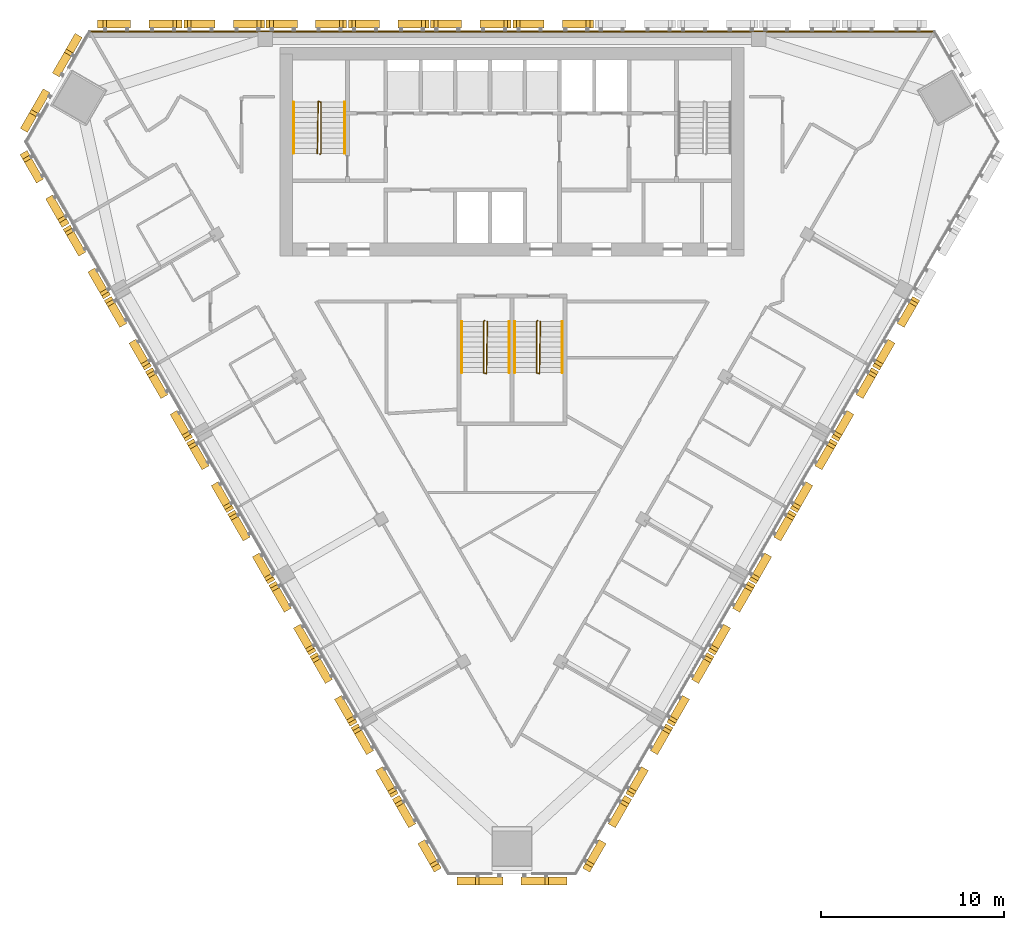
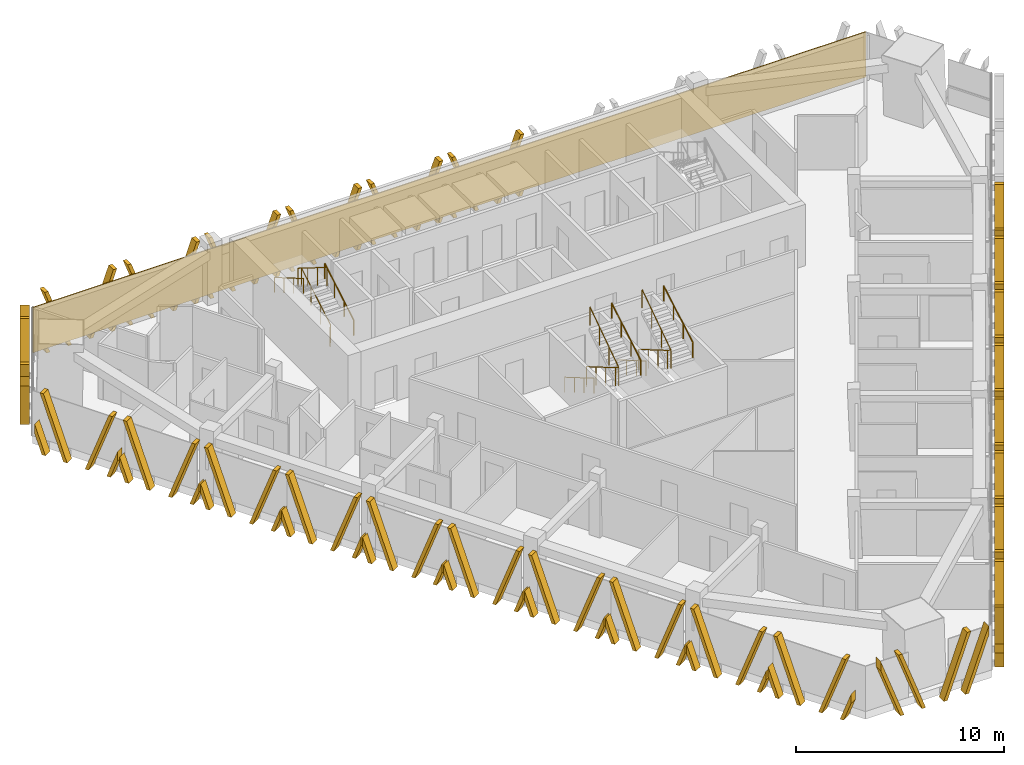
# One storey, part 14 of 16: 26 shading devices, 9 railings, 1 covering.
"""IFC4 building model written with IfcOpenShell, lengths in metres."""

from ifc_helpers import new_model, si_unit, direction, frame, frame_2d, origin, origin_2d, place, context, subcontext, project, spatial, polyline, rectangle, circle, outline, extrude, source, transform, mapped, material, layer, layer_set, type_object, element, save


model = new_model("IFC4")

# Units and contexts
model_context = context("Model", 3, precision=1e-05, world=origin(), true_north=direction((0.0, 1.0)))
body_context = subcontext(model_context, "Body", "Model", "MODEL_VIEW")
ifc_project = project(units=[si_unit("LENGTHUNIT", "METRE"), si_unit("AREAUNIT", "SQUARE_METRE"), si_unit("VOLUMEUNIT", "CUBIC_METRE"), si_unit("PLANEANGLEUNIT", "RADIAN"), si_unit("MASSUNIT", "GRAM", prefix="KILO")], contexts=[model_context])

# Site, building, storey
site_placement = place(None, origin())
site = spatial("IfcSite", under=ifc_project, at=site_placement, CompositionType="ELEMENT")
building_placement = place(site_placement, origin())
building = spatial("IfcBuilding", under=site, at=building_placement, Name="Altiplano Prism Tower", CompositionType="ELEMENT")
storey_placement = place(building_placement, frame((0.0, 0.0, 167.39990234375)))
storey = spatial("IfcBuildingStorey", under=building, at=storey_placement, Name="L43", CompositionType="ELEMENT", Elevation=167.39990234375)

# Railings
ifc_material_1 = material(Name="Steel S355", Category="steel")
railing_type_1 = type_object("IfcRailingType", Name="Stair guard 1100", PredefinedType="GUARDRAIL", material=ifc_material_1)
railing_1_placement = place(storey_placement, frame((74.5, 98.25, 0.0)))
element("IfcRailing", 1, at=railing_1_placement, inside=storey, type_object=railing_type_1, Name="L43 ST1 stair guard 1", PredefinedType="GUARDRAIL", context=body_context, shape_type="SweptSolid", body=[
    extrude(circle(Radius=0.02392578125, at=origin_2d()), frame((0.0, 0.0, 1.076171875), z_axis=(0.280456126637, 0.280456126637, 0.917980785237), x_axis=(-0.707106781187, 0.707106781187, 0.0)), (0.0, 0.0, 1.0), 0.178466796875),
    extrude(circle(Radius=0.02392578125, at=origin_2d()), frame((0.050048828125, 0.050048828125, 1.23974609375), z_axis=(0.0, 0.863393664356, 0.504530851732), x_axis=(-1.0, 0.0, 0.0)), (0.0, 0.0, 1.0), 3.2431640625),
    extrude(circle(Radius=0.02392578125, at=origin_2d()), frame((0.050048828125, 2.85009765625, 2.8759765625), z_axis=(-0.949145278916, 0.314838433982, 0.0), x_axis=(-0.314838433982, -0.949145278916, 0.0)), (0.0, 0.0, 1.0), 0.158203125),
    extrude(circle(Radius=0.02392578125, at=origin_2d()), frame((-0.10009765625, 2.89990234375, 2.8759765625), z_axis=(-0.01477401265, -0.845377694409, 0.533964682676), x_axis=(0.999847325713, -0.01747355902, 0.0)), (0.0, 0.0, 1.0), 3.37109375),
    extrude(circle(Radius=0.02099609375, at=origin_2d()), origin(), (0.0, 0.0, 1.0), 1.052001953125),
    extrude(circle(Radius=0.02099609375, at=origin_2d()), frame((0.050048828125, 0.050048828125, 0.163818359375)), (0.0, 0.0, 1.0), 1.052001953125),
    extrude(circle(Radius=0.02099609375, at=origin_2d()), frame((0.050048828125, 0.9833984375, 0.709228515625)), (0.0, 0.0, 1.0), 1.052001953125),
    extrude(circle(Radius=0.02099609375, at=origin_2d()), frame((0.050048828125, 1.916748046875, 1.254638671875)), (0.0, 0.0, 1.0), 1.052001953125),
    extrude(circle(Radius=0.02099609375, at=origin_2d()), frame((0.050048828125, 2.85009765625, 1.800048828125)), (0.0, 0.0, 1.0), 1.052001953125),
    extrude(circle(Radius=0.02099609375, at=origin_2d()), frame((-0.10009765625, 2.89990234375, 1.800048828125)), (0.0, 0.0, 1.0), 1.052001953125),
    extrude(circle(Radius=0.02099609375, at=origin_2d()), frame((-0.11669921875, 1.949951171875, 2.400146484375)), (0.0, 0.0, 1.0), 1.052001953125),
    extrude(circle(Radius=0.02099609375, at=origin_2d()), frame((-0.13330078125, 1.0, 3.0)), (0.0, 0.0, 1.0), 1.052001953125),
    extrude(circle(Radius=0.02099609375, at=origin_2d()), frame((-0.14990234375, 0.050048828125, 3.60009765625)), (0.0, 0.0, 1.0), 1.052001953125),
])
railing_2_placement = place(storey_placement, frame((83.5, 89.14990234375, 0.0)))
element("IfcRailing", 2, at=railing_2_placement, inside=storey, type_object=railing_type_1, Name="L43 ST3A stair guard 1", PredefinedType="GUARDRAIL", context=body_context, shape_type="SweptSolid", body=[
    extrude(circle(Radius=0.02392578125, at=origin_2d()), frame((0.0, 0.0, 1.076171875), z_axis=(-0.280563532951, -0.279194930351, 0.91833234444), x_axis=(0.705375805398, -0.708833529934, 0.0)), (0.0, 0.0, 1.0), 0.178466796875),
    extrude(circle(Radius=0.02392578125, at=origin_2d()), frame((-0.050048828125, -0.0498046875, 1.23974609375), z_axis=(0.0, -0.863393664356, 0.504530851732), x_axis=(1.0, 0.0, 0.0)), (0.0, 0.0, 1.0), 3.2431640625),
    extrude(circle(Radius=0.02392578125, at=origin_2d()), frame((-0.050048828125, -2.849853515625, 2.8759765625), z_axis=(0.948683298051, -0.316227766017, 0.0), x_axis=(0.316227766017, 0.948683298051, 0.0)), (0.0, 0.0, 1.0), 0.158203125),
    extrude(circle(Radius=0.02392578125, at=origin_2d()), frame((0.10009765625, -2.89990234375, 2.8759765625), z_axis=(0.014773108175, 0.84539835705, 0.533931993021), x_axis=(-0.999847351862, 0.017472062685, 0.0)), (0.0, 0.0, 1.0), 3.371337890625),
    extrude(circle(Radius=0.02099609375, at=origin_2d()), origin(), (0.0, 0.0, 1.0), 1.052001953125),
    extrude(circle(Radius=0.02099609375, at=origin_2d()), frame((-0.050048828125, -0.0498046875, 0.163818359375)), (0.0, 0.0, 1.0), 1.052001953125),
    extrude(circle(Radius=0.02099609375, at=origin_2d()), frame((-0.050048828125, -0.983154296875, 0.709228515625)), (0.0, 0.0, 1.0), 1.052001953125),
    extrude(circle(Radius=0.02099609375, at=origin_2d()), frame((-0.050048828125, -1.91650390625, 1.254638671875)), (0.0, 0.0, 1.0), 1.052001953125),
    extrude(circle(Radius=0.02099609375, at=origin_2d()), frame((-0.050048828125, -2.849853515625, 1.800048828125)), (0.0, 0.0, 1.0), 1.052001953125),
    extrude(circle(Radius=0.02099609375, at=origin_2d()), frame((0.10009765625, -2.89990234375, 1.800048828125)), (0.0, 0.0, 1.0), 1.052001953125),
    extrude(circle(Radius=0.02099609375, at=origin_2d()), frame((0.11669921875, -1.949951171875, 2.400146484375)), (0.0, 0.0, 1.0), 1.052001953125),
    extrude(circle(Radius=0.02099609375, at=origin_2d()), frame((0.13330078125, -0.999755859375, 3.0)), (0.0, 0.0, 1.0), 1.052001953125),
    extrude(circle(Radius=0.02099609375, at=origin_2d()), frame((0.14990234375, -0.0498046875, 3.60009765625)), (0.0, 0.0, 1.0), 1.052001953125),
])
railing_3_placement = place(storey_placement, frame((86.39990234375, 89.14990234375, 0.0)))
element("IfcRailing", 3, at=railing_3_placement, inside=storey, type_object=railing_type_1, Name="L43 ST3B stair guard 1", PredefinedType="GUARDRAIL", context=body_context, shape_type="SweptSolid", body=[
    extrude(circle(Radius=0.02392578125, at=origin_2d()), frame((0.0, 0.0, 1.076171875), z_axis=(-0.279301935624, -0.279301935624, 0.918684307863), x_axis=(0.707106781187, -0.707106781187, 0.0)), (0.0, 0.0, 1.0), 0.17822265625),
    extrude(circle(Radius=0.02392578125, at=origin_2d()), frame((-0.0498046875, -0.0498046875, 1.23974609375), z_axis=(0.0, -0.863393664356, 0.504530851732), x_axis=(1.0, 0.0, 0.0)), (0.0, 0.0, 1.0), 3.2431640625),
    extrude(circle(Radius=0.02392578125, at=origin_2d()), frame((-0.0498046875, -2.849853515625, 2.8759765625), z_axis=(0.948528701346, -0.316691178788, 0.0), x_axis=(0.316691178788, 0.948528701346, 0.0)), (0.0, 0.0, 1.0), 0.157958984375),
    extrude(circle(Radius=0.02392578125, at=origin_2d()), frame((0.10009765625, -2.89990234375, 2.8759765625), z_axis=(0.014845509451, 0.845397450405, 0.533931420407), x_axis=(-0.999845851991, 0.017557683712, 0.0)), (0.0, 0.0, 1.0), 3.371337890625),
    extrude(circle(Radius=0.02099609375, at=origin_2d()), origin(), (0.0, 0.0, 1.0), 1.052001953125),
    extrude(circle(Radius=0.02099609375, at=origin_2d()), frame((-0.0498046875, -0.0498046875, 0.163818359375)), (0.0, 0.0, 1.0), 1.052001953125),
    extrude(circle(Radius=0.02099609375, at=origin_2d()), frame((-0.0498046875, -0.983154296875, 0.709228515625)), (0.0, 0.0, 1.0), 1.052001953125),
    extrude(circle(Radius=0.02099609375, at=origin_2d()), frame((-0.0498046875, -1.91650390625, 1.254638671875)), (0.0, 0.0, 1.0), 1.052001953125),
    extrude(circle(Radius=0.02099609375, at=origin_2d()), frame((-0.0498046875, -2.849853515625, 1.800048828125)), (0.0, 0.0, 1.0), 1.052001953125),
    extrude(circle(Radius=0.02099609375, at=origin_2d()), frame((0.10009765625, -2.89990234375, 1.800048828125)), (0.0, 0.0, 1.0), 1.052001953125),
    extrude(circle(Radius=0.02099609375, at=origin_2d()), frame((0.11669921875, -1.949951171875, 2.400146484375)), (0.0, 0.0, 1.0), 1.052001953125),
    extrude(circle(Radius=0.02099609375, at=origin_2d()), frame((0.133544921875, -0.999755859375, 3.0)), (0.0, 0.0, 1.0), 1.052001953125),
    extrude(circle(Radius=0.02099609375, at=origin_2d()), frame((0.150146484375, -0.0498046875, 3.60009765625)), (0.0, 0.0, 1.0), 1.052001953125),
])
railing_type_2 = type_object("IfcRailingType", Name="Stair handrail 900", PredefinedType="HANDRAIL", material=ifc_material_1)
railing_4_placement = place(storey_placement, frame((75.85009765625, 98.300048828125, 0.163818359375)))
element("IfcRailing", 4, at=railing_4_placement, inside=storey, type_object=railing_type_2, Name="L43 ST1 stair handrail 1", PredefinedType="HANDRAIL", context=body_context, shape_type="SweptSolid", body=[
    extrude(circle(Radius=0.02392578125, at=origin_2d()), frame((0.0, 0.0, 0.8759765625), z_axis=(0.0, 0.863393664356, 0.504530851732), x_axis=(-1.0, 0.0, 0.0)), (0.0, 0.0, 1.0), 3.2431640625),
    extrude(circle(Radius=0.02099609375, at=origin_2d()), origin(), (0.0, 0.0, 1.0), 0.851806640625),
    extrude(circle(Radius=0.02099609375, at=origin_2d()), frame((0.0, 0.933349609375, 0.54541015625)), (0.0, 0.0, 1.0), 0.851806640625),
    extrude(circle(Radius=0.02099609375, at=origin_2d()), frame((0.0, 1.86669921875, 1.0908203125)), (0.0, 0.0, 1.0), 0.851806640625),
    extrude(circle(Radius=0.02099609375, at=origin_2d()), frame((0.0, 2.800048828125, 1.63623046875)), (0.0, 0.0, 1.0), 0.851806640625),
])
railing_5_placement = place(storey_placement, frame((73.050048828125, 101.10009765625, 1.963623046875)))
element("IfcRailing", 5, at=railing_5_placement, inside=storey, type_object=railing_type_2, Name="L43 ST1 stair handrail 2", PredefinedType="HANDRAIL", context=body_context, shape_type="SweptSolid", body=[
    extrude(circle(Radius=0.02392578125, at=origin_2d()), frame((0.0, 0.0, 0.8759765625), z_axis=(0.0, -0.863360870873, 0.504586966384), x_axis=(1.0, 0.0, 0.0)), (0.0, 0.0, 1.0), 3.2431640625),
    extrude(circle(Radius=0.02099609375, at=origin_2d()), origin(), (0.0, 0.0, 1.0), 0.851806640625),
    extrude(circle(Radius=0.02099609375, at=origin_2d()), frame((0.0, -0.933349609375, 0.54541015625)), (0.0, 0.0, 1.0), 0.851806640625),
    extrude(circle(Radius=0.02099609375, at=origin_2d()), frame((0.0, -1.86669921875, 1.091064453125)), (0.0, 0.0, 1.0), 0.851806640625),
    extrude(circle(Radius=0.02099609375, at=origin_2d()), frame((0.0, -2.800048828125, 1.636474609375)), (0.0, 0.0, 1.0), 0.851806640625),
])
railing_6_placement = place(storey_placement, frame((82.25, 89.10009765625, 0.163818359375)))
element("IfcRailing", 6, at=railing_6_placement, inside=storey, type_object=railing_type_2, Name="L43 ST3A stair handrail 1", PredefinedType="HANDRAIL", context=body_context, shape_type="SweptSolid", body=[
    extrude(circle(Radius=0.02392578125, at=origin_2d()), frame((0.0, 0.0, 0.8759765625), z_axis=(0.0, -0.863393664356, 0.504530851732), x_axis=(1.0, 0.0, 0.0)), (0.0, 0.0, 1.0), 3.2431640625),
    extrude(circle(Radius=0.02099609375, at=origin_2d()), origin(), (0.0, 0.0, 1.0), 0.851806640625),
    extrude(circle(Radius=0.02099609375, at=origin_2d()), frame((0.0, -0.933349609375, 0.54541015625)), (0.0, 0.0, 1.0), 0.851806640625),
    extrude(circle(Radius=0.02099609375, at=origin_2d()), frame((0.0, -1.86669921875, 1.0908203125)), (0.0, 0.0, 1.0), 0.851806640625),
    extrude(circle(Radius=0.02099609375, at=origin_2d()), frame((0.0, -2.800048828125, 1.63623046875)), (0.0, 0.0, 1.0), 0.851806640625),
])
railing_7_placement = place(storey_placement, frame((84.85009765625, 86.300048828125, 1.963623046875)))
element("IfcRailing", 7, at=railing_7_placement, inside=storey, type_object=railing_type_2, Name="L43 ST3A stair handrail 2", PredefinedType="HANDRAIL", context=body_context, shape_type="SweptSolid", body=[
    extrude(circle(Radius=0.02392578125, at=origin_2d()), frame((0.0, 0.0, 0.8759765625), z_axis=(0.0, 0.863360870873, 0.504586966384), x_axis=(-1.0, 0.0, 0.0)), (0.0, 0.0, 1.0), 3.2431640625),
    extrude(circle(Radius=0.02099609375, at=origin_2d()), origin(), (0.0, 0.0, 1.0), 0.851806640625),
    extrude(circle(Radius=0.02099609375, at=origin_2d()), frame((0.0, 0.933349609375, 0.54541015625)), (0.0, 0.0, 1.0), 0.851806640625),
    extrude(circle(Radius=0.02099609375, at=origin_2d()), frame((0.0, 1.86669921875, 1.091064453125)), (0.0, 0.0, 1.0), 0.851806640625),
    extrude(circle(Radius=0.02099609375, at=origin_2d()), frame((0.0, 2.800048828125, 1.636474609375)), (0.0, 0.0, 1.0), 0.851806640625),
])
railing_8_placement = place(storey_placement, frame((85.14990234375, 89.10009765625, 0.163818359375)))
element("IfcRailing", 8, at=railing_8_placement, inside=storey, type_object=railing_type_2, Name="L43 ST3B stair handrail 1", PredefinedType="HANDRAIL", context=body_context, shape_type="SweptSolid", body=[
    extrude(circle(Radius=0.02392578125, at=origin_2d()), frame((0.0, 0.0, 0.8759765625), z_axis=(0.0, -0.863393664356, 0.504530851732), x_axis=(1.0, 0.0, 0.0)), (0.0, 0.0, 1.0), 3.2431640625),
    extrude(circle(Radius=0.02099609375, at=origin_2d()), origin(), (0.0, 0.0, 1.0), 0.851806640625),
    extrude(circle(Radius=0.02099609375, at=origin_2d()), frame((0.0, -0.933349609375, 0.54541015625)), (0.0, 0.0, 1.0), 0.851806640625),
    extrude(circle(Radius=0.02099609375, at=origin_2d()), frame((0.0, -1.86669921875, 1.0908203125)), (0.0, 0.0, 1.0), 0.851806640625),
    extrude(circle(Radius=0.02099609375, at=origin_2d()), frame((0.0, -2.800048828125, 1.63623046875)), (0.0, 0.0, 1.0), 0.851806640625),
])
railing_9_placement = place(storey_placement, frame((87.75, 86.300048828125, 1.963623046875)))
element("IfcRailing", 9, at=railing_9_placement, inside=storey, type_object=railing_type_2, Name="L43 ST3B stair handrail 2", PredefinedType="HANDRAIL", context=body_context, shape_type="SweptSolid", body=[
    extrude(circle(Radius=0.02392578125, at=origin_2d()), frame((0.0, 0.0, 0.8759765625), z_axis=(0.0, 0.863360870873, 0.504586966384), x_axis=(-1.0, 0.0, 0.0)), (0.0, 0.0, 1.0), 3.2431640625),
    extrude(circle(Radius=0.02099609375, at=origin_2d()), origin(), (0.0, 0.0, 1.0), 0.851806640625),
    extrude(circle(Radius=0.02099609375, at=origin_2d()), frame((0.0, 0.933349609375, 0.54541015625)), (0.0, 0.0, 1.0), 0.851806640625),
    extrude(circle(Radius=0.02099609375, at=origin_2d()), frame((0.0, 1.86669921875, 1.091064453125)), (0.0, 0.0, 1.0), 0.851806640625),
    extrude(circle(Radius=0.02099609375, at=origin_2d()), frame((0.0, 2.800048828125, 1.636474609375)), (0.0, 0.0, 1.0), 0.851806640625),
])

# Covering
ifc_material_2 = material(Name="Warm limestone cast stone", Category="masonry")
ifc_layer = layer(ifc_material_2, 0.06005859375)
ifc_layer_set = layer_set([ifc_layer], Name="Warm limestone cast stone")
covering_type = type_object("IfcCoveringType", Name="Stone cladding 60", PredefinedType="CLADDING", material=ifc_layer_set)
covering_placement = place(storey_placement, frame((61.8642578125, 104.969970703125, 0.0), z_axis=(0.0, 0.0, 1.0), x_axis=(1.0, 0.0, 0.0)))
element("IfcCovering", 10, at=covering_placement, inside=storey, type_object=covering_type, Name="Stone cladding north face L43", PredefinedType="CLADDING", context=body_context, shape_type="SweptSolid", body=[
    extrude(rectangle(XDim=46.271484375, YDim=0.06005859375, at=frame_2d((23.1357421875, 0.0))), origin(), (0.0, 0.0, 1.0), 2.650146484375),
])

# Shading devices
shading_device_type_1 = type_object("IfcShadingDeviceType", Name="Stone fin panel, standard unit", PredefinedType="USERDEFINED", material=ifc_material_2)
shared_shape_1 = source(origin(), body_context, "Body", "SweptSolid", [
    extrude(outline(polyline([(-2.199951171875, 1.373779296875), (-2.199951171875, 0.82421875), (-1.89990234375, 0.0), (-1.699951171875, 0.0), (-2.199951171875, 1.373779296875)])), frame((0.0, -0.14990234375, 0.0), z_axis=(0.0, -1.0, 0.0), x_axis=(1.0, 0.0, 0.0)), (0.0, 0.0, 1.0), 0.4501953125),
    extrude(outline(polyline([(-2.01025390625, 3.60009765625), (-0.699951171875, 0.0), (-0.5, 0.0), (-1.810302734375, 3.60009765625), (-2.01025390625, 3.60009765625)])), frame((0.0, -0.14990234375, 0.0), z_axis=(0.0, -1.0, 0.0), x_axis=(1.0, 0.0, 0.0)), (0.0, 0.0, 1.0), 0.4501953125),
    extrude(outline(polyline([(1.810302734375, 3.60009765625), (0.5, 0.0), (0.699951171875, 0.0), (2.01025390625, 3.60009765625), (1.810302734375, 3.60009765625)])), frame((0.0, -0.14990234375, 0.0), z_axis=(0.0, -1.0, 0.0), x_axis=(1.0, 0.0, 0.0)), (0.0, 0.0, 1.0), 0.4501953125),
    extrude(outline(polyline([(2.199951171875, 0.82421875), (2.199951171875, 1.373779296875), (1.699951171875, 0.0), (1.89990234375, 0.0), (2.199951171875, 0.82421875)])), frame((0.0, -0.14990234375, 0.0), z_axis=(0.0, -1.0, 0.0), x_axis=(1.0, 0.0, 0.0)), (0.0, 0.0, 1.0), 0.4501953125),
])
shading_device_1_placement = place(storey_placement, origin())
element("IfcShadingDevice", 11, at=shading_device_1_placement, inside=storey, type_object=shading_device_type_1, Name="Fin L43 north face 5", ObjectType="FIN", PredefinedType="USERDEFINED", context=body_context, shape_type="MappedRepresentation", body=[
    mapped(shared_shape_1, transform((87.25, 105.0, -0.449951171875), x_axis=(-1.0, 0.0, 0.0), y_axis=(0.0, -1.0, 0.0), z_axis=(0.0, 0.0, 1.0))),
])
shading_device_2_placement = place(storey_placement, origin())
element("IfcShadingDevice", 12, at=shading_device_2_placement, inside=storey, type_object=shading_device_type_1, Name="Fin L43 north face 6", ObjectType="FIN", PredefinedType="USERDEFINED", context=body_context, shape_type="MappedRepresentation", body=[
    mapped(shared_shape_1, transform((82.75, 105.0, -0.449951171875), x_axis=(-1.0, 0.0, 0.0), y_axis=(0.0, -1.0, 0.0), z_axis=(0.0, 0.0, 1.0))),
])
shading_device_3_placement = place(storey_placement, origin())
element("IfcShadingDevice", 13, at=shading_device_3_placement, inside=storey, type_object=shading_device_type_1, Name="Fin L43 north face 7", ObjectType="FIN", PredefinedType="USERDEFINED", context=body_context, shape_type="MappedRepresentation", body=[
    mapped(shared_shape_1, transform((78.25, 105.0, -0.449951171875), x_axis=(-1.0, 0.0, 0.0), y_axis=(0.0, -1.0, 0.0), z_axis=(0.0, 0.0, 1.0))),
])
shading_device_4_placement = place(storey_placement, origin())
element("IfcShadingDevice", 14, at=shading_device_4_placement, inside=storey, type_object=shading_device_type_1, Name="Fin L43 north face 8", ObjectType="FIN", PredefinedType="USERDEFINED", context=body_context, shape_type="MappedRepresentation", body=[
    mapped(shared_shape_1, transform((73.75, 105.0, -0.449951171875), x_axis=(-1.0, 0.0, 0.0), y_axis=(0.0, -1.0, 0.0), z_axis=(0.0, 0.0, 1.0))),
])
shading_device_5_placement = place(storey_placement, origin())
element("IfcShadingDevice", 15, at=shading_device_5_placement, inside=storey, type_object=shading_device_type_1, Name="Fin L43 north face 9", ObjectType="FIN", PredefinedType="USERDEFINED", context=body_context, shape_type="MappedRepresentation", body=[
    mapped(shared_shape_1, transform((69.25, 105.0, -0.449951171875), x_axis=(-1.0, 0.0, 0.0), y_axis=(0.0, -1.0, 0.0), z_axis=(0.0, 0.0, 1.0))),
])
shading_device_6_placement = place(storey_placement, origin())
element("IfcShadingDevice", 16, at=shading_device_6_placement, inside=storey, type_object=shading_device_type_1, Name="Fin L43 south-west face 2", ObjectType="FIN", PredefinedType="USERDEFINED", context=body_context, shape_type="MappedRepresentation", body=[
    mapped(shared_shape_1, transform((62.05810546875, 92.543212890625, -0.449951171875), x_axis=(0.499999990992, -0.866025408985, 0.0), y_axis=(0.866025408985, 0.499999990992, 0.0), z_axis=(0.0, 0.0, 1.0))),
])
shading_device_7_placement = place(storey_placement, origin())
element("IfcShadingDevice", 17, at=shading_device_7_placement, inside=storey, type_object=shading_device_type_1, Name="Fin L43 south-west face 3", ObjectType="FIN", PredefinedType="USERDEFINED", context=body_context, shape_type="MappedRepresentation", body=[
    mapped(shared_shape_1, transform((64.30810546875, 88.64599609375, -0.449951171875), x_axis=(0.499999990992, -0.866025408985, 0.0), y_axis=(0.866025408985, 0.499999990992, 0.0), z_axis=(0.0, 0.0, 1.0))),
])
shading_device_8_placement = place(storey_placement, origin())
element("IfcShadingDevice", 18, at=shading_device_8_placement, inside=storey, type_object=shading_device_type_1, Name="Fin L43 south-west face 4", ObjectType="FIN", PredefinedType="USERDEFINED", context=body_context, shape_type="MappedRepresentation", body=[
    mapped(shared_shape_1, transform((66.55810546875, 84.7490234375, -0.449951171875), x_axis=(0.499999990992, -0.866025408985, 0.0), y_axis=(0.866025408985, 0.499999990992, 0.0), z_axis=(0.0, 0.0, 1.0))),
])
shading_device_9_placement = place(storey_placement, origin())
element("IfcShadingDevice", 19, at=shading_device_9_placement, inside=storey, type_object=shading_device_type_1, Name="Fin L43 south-west face 5", ObjectType="FIN", PredefinedType="USERDEFINED", context=body_context, shape_type="MappedRepresentation", body=[
    mapped(shared_shape_1, transform((68.80810546875, 80.851806640625, -0.449951171875), x_axis=(0.499999990992, -0.866025408985, 0.0), y_axis=(0.866025408985, 0.499999990992, 0.0), z_axis=(0.0, 0.0, 1.0))),
])
shading_device_10_placement = place(storey_placement, origin())
element("IfcShadingDevice", 20, at=shading_device_10_placement, inside=storey, type_object=shading_device_type_1, Name="Fin L43 south-west face 6", ObjectType="FIN", PredefinedType="USERDEFINED", context=body_context, shape_type="MappedRepresentation", body=[
    mapped(shared_shape_1, transform((71.05810546875, 76.954833984375, -0.449951171875), x_axis=(0.499999990992, -0.866025408985, 0.0), y_axis=(0.866025408985, 0.499999990992, 0.0), z_axis=(0.0, 0.0, 1.0))),
])
shading_device_11_placement = place(storey_placement, origin())
element("IfcShadingDevice", 21, at=shading_device_11_placement, inside=storey, type_object=shading_device_type_1, Name="Fin L43 south-west face 7", ObjectType="FIN", PredefinedType="USERDEFINED", context=body_context, shape_type="MappedRepresentation", body=[
    mapped(shared_shape_1, transform((73.30810546875, 73.0576171875, -0.449951171875), x_axis=(0.499999990992, -0.866025408985, 0.0), y_axis=(0.866025408985, 0.499999990992, 0.0), z_axis=(0.0, 0.0, 1.0))),
])
shading_device_12_placement = place(storey_placement, origin())
element("IfcShadingDevice", 22, at=shading_device_12_placement, inside=storey, type_object=shading_device_type_1, Name="Fin L43 south-west face 8", ObjectType="FIN", PredefinedType="USERDEFINED", context=body_context, shape_type="MappedRepresentation", body=[
    mapped(shared_shape_1, transform((75.55810546875, 69.160400390625, -0.449951171875), x_axis=(0.499999990992, -0.866025408985, 0.0), y_axis=(0.866025408985, 0.499999990992, 0.0), z_axis=(0.0, 0.0, 1.0))),
])
shading_device_13_placement = place(storey_placement, origin())
element("IfcShadingDevice", 23, at=shading_device_13_placement, inside=storey, type_object=shading_device_type_1, Name="Fin L43 south-west face 9", ObjectType="FIN", PredefinedType="USERDEFINED", context=body_context, shape_type="MappedRepresentation", body=[
    mapped(shared_shape_1, transform((77.80810546875, 65.263427734375, -0.449951171875), x_axis=(0.499999990992, -0.866025408985, 0.0), y_axis=(0.866025408985, 0.499999990992, 0.0), z_axis=(0.0, 0.0, 1.0))),
])
shading_device_14_placement = place(storey_placement, origin())
element("IfcShadingDevice", 24, at=shading_device_14_placement, inside=storey, type_object=shading_device_type_1, Name="Fin L43 south-east face 2", ObjectType="FIN", PredefinedType="USERDEFINED", context=body_context, shape_type="MappedRepresentation", body=[
    mapped(shared_shape_1, transform((92.19189453125, 65.263427734375, -0.449951171875), x_axis=(0.499999990992, 0.866025408985, 0.0), y_axis=(-0.866025408985, 0.499999990992, 0.0), z_axis=(0.0, 0.0, 1.0))),
])
shading_device_15_placement = place(storey_placement, origin())
element("IfcShadingDevice", 25, at=shading_device_15_placement, inside=storey, type_object=shading_device_type_1, Name="Fin L43 south-east face 3", ObjectType="FIN", PredefinedType="USERDEFINED", context=body_context, shape_type="MappedRepresentation", body=[
    mapped(shared_shape_1, transform((94.44189453125, 69.160400390625, -0.449951171875), x_axis=(0.499999990992, 0.866025408985, 0.0), y_axis=(-0.866025408985, 0.499999990992, 0.0), z_axis=(0.0, 0.0, 1.0))),
])
shading_device_16_placement = place(storey_placement, origin())
element("IfcShadingDevice", 26, at=shading_device_16_placement, inside=storey, type_object=shading_device_type_1, Name="Fin L43 south-east face 4", ObjectType="FIN", PredefinedType="USERDEFINED", context=body_context, shape_type="MappedRepresentation", body=[
    mapped(shared_shape_1, transform((96.69189453125, 73.0576171875, -0.449951171875), x_axis=(0.499999990992, 0.866025408985, 0.0), y_axis=(-0.866025408985, 0.499999990992, 0.0), z_axis=(0.0, 0.0, 1.0))),
])
shading_device_17_placement = place(storey_placement, origin())
element("IfcShadingDevice", 27, at=shading_device_17_placement, inside=storey, type_object=shading_device_type_1, Name="Fin L43 south-east face 5", ObjectType="FIN", PredefinedType="USERDEFINED", context=body_context, shape_type="MappedRepresentation", body=[
    mapped(shared_shape_1, transform((98.94189453125, 76.954833984375, -0.449951171875), x_axis=(0.499999990992, 0.866025408985, 0.0), y_axis=(-0.866025408985, 0.499999990992, 0.0), z_axis=(0.0, 0.0, 1.0))),
])
shading_device_18_placement = place(storey_placement, origin())
element("IfcShadingDevice", 28, at=shading_device_18_placement, inside=storey, type_object=shading_device_type_1, Name="Fin L43 south-east face 6", ObjectType="FIN", PredefinedType="USERDEFINED", context=body_context, shape_type="MappedRepresentation", body=[
    mapped(shared_shape_1, transform((101.19189453125, 80.851806640625, -0.449951171875), x_axis=(0.499999990992, 0.866025408985, 0.0), y_axis=(-0.866025408985, 0.499999990992, 0.0), z_axis=(0.0, 0.0, 1.0))),
])
shading_device_19_placement = place(storey_placement, origin())
element("IfcShadingDevice", 29, at=shading_device_19_placement, inside=storey, type_object=shading_device_type_1, Name="Fin L43 south-east face 7", ObjectType="FIN", PredefinedType="USERDEFINED", context=body_context, shape_type="MappedRepresentation", body=[
    mapped(shared_shape_1, transform((103.44189453125, 84.7490234375, -0.449951171875), x_axis=(0.499999990992, 0.866025408985, 0.0), y_axis=(-0.866025408985, 0.499999990992, 0.0), z_axis=(0.0, 0.0, 1.0))),
])
shading_device_20_placement = place(storey_placement, origin())
element("IfcShadingDevice", 30, at=shading_device_20_placement, inside=storey, type_object=shading_device_type_1, Name="Fin L43 south-east face 8", ObjectType="FIN", PredefinedType="USERDEFINED", context=body_context, shape_type="MappedRepresentation", body=[
    mapped(shared_shape_1, transform((105.69189453125, 88.64599609375, -0.449951171875), x_axis=(0.499999990992, 0.866025408985, 0.0), y_axis=(-0.866025408985, 0.499999990992, 0.0), z_axis=(0.0, 0.0, 1.0))),
])
shading_device_type_2 = type_object("IfcShadingDeviceType", Name="Stone fin panel, wide closing bay", PredefinedType="USERDEFINED", material=ifc_material_2)
shared_shape_2 = source(origin(), body_context, "Body", "SweptSolid", [
    extrude(outline(polyline([(-2.300048828125, 1.6484375), (-2.300048828125, 1.09912109375), (-1.89990234375, 0.0), (-1.699951171875, 0.0), (-2.300048828125, 1.6484375)])), frame((0.0, -0.14990234375, 0.0), z_axis=(0.0, -1.0, 0.0), x_axis=(1.0, 0.0, 0.0)), (0.0, 0.0, 1.0), 0.4501953125),
    extrude(outline(polyline([(-2.01025390625, 3.60009765625), (-0.699951171875, 0.0), (-0.5, 0.0), (-1.810302734375, 3.60009765625), (-2.01025390625, 3.60009765625)])), frame((0.0, -0.14990234375, 0.0), z_axis=(0.0, -1.0, 0.0), x_axis=(1.0, 0.0, 0.0)), (0.0, 0.0, 1.0), 0.4501953125),
    extrude(outline(polyline([(1.810302734375, 3.60009765625), (0.5, 0.0), (0.699951171875, 0.0), (2.01025390625, 3.60009765625), (1.810302734375, 3.60009765625)])), frame((0.0, -0.14990234375, 0.0), z_axis=(0.0, -1.0, 0.0), x_axis=(1.0, 0.0, 0.0)), (0.0, 0.0, 1.0), 0.4501953125),
    extrude(outline(polyline([(2.300048828125, 1.09912109375), (2.300048828125, 1.6484375), (1.699951171875, 0.0), (1.89990234375, 0.0), (2.300048828125, 1.09912109375)])), frame((0.0, -0.14990234375, 0.0), z_axis=(0.0, -1.0, 0.0), x_axis=(1.0, 0.0, 0.0)), (0.0, 0.0, 1.0), 0.4501953125),
])
shading_device_21_placement = place(storey_placement, origin())
element("IfcShadingDevice", 31, at=shading_device_21_placement, inside=storey, type_object=shading_device_type_2, Name="Fin L43 north face 10", ObjectType="FIN", PredefinedType="USERDEFINED", context=body_context, shape_type="MappedRepresentation", body=[
    mapped(shared_shape_2, transform((64.632080078125, 105.0, -0.449951171875), x_axis=(-1.0, 0.0, 0.0), y_axis=(0.0, -1.0, 0.0), z_axis=(0.0, 0.0, 1.0))),
])
shading_device_22_placement = place(storey_placement, origin())
element("IfcShadingDevice", 32, at=shading_device_22_placement, inside=storey, type_object=shading_device_type_2, Name="Fin L43 south-west face 1", ObjectType="FIN", PredefinedType="USERDEFINED", context=body_context, shape_type="MappedRepresentation", body=[
    mapped(shared_shape_2, transform((59.7490234375, 96.54248046875, -0.449951171875), x_axis=(0.499999990992, -0.866025408985, 0.0), y_axis=(0.866025408985, 0.499999990992, 0.0), z_axis=(0.0, 0.0, 1.0))),
])
shading_device_23_placement = place(storey_placement, origin())
element("IfcShadingDevice", 33, at=shading_device_23_placement, inside=storey, type_object=shading_device_type_2, Name="Fin L43 south-west face 10", ObjectType="FIN", PredefinedType="USERDEFINED", context=body_context, shape_type="MappedRepresentation", body=[
    mapped(shared_shape_2, transform((80.116943359375, 61.26416015625, -0.449951171875), x_axis=(0.499999990992, -0.866025408985, 0.0), y_axis=(0.866025408985, 0.499999990992, 0.0), z_axis=(0.0, 0.0, 1.0))),
])
shading_device_24_placement = place(storey_placement, origin())
element("IfcShadingDevice", 34, at=shading_device_24_placement, inside=storey, type_object=shading_device_type_2, Name="Fin L43 south-east face 1", ObjectType="FIN", PredefinedType="USERDEFINED", context=body_context, shape_type="MappedRepresentation", body=[
    mapped(shared_shape_2, transform((89.883056640625, 61.26416015625, -0.449951171875), x_axis=(0.499999990992, 0.866025408985, 0.0), y_axis=(-0.866025408985, 0.499999990992, 0.0), z_axis=(0.0, 0.0, 1.0))),
])
shading_device_type_3 = type_object("IfcShadingDeviceType", Name="Stone fin panel, chamfer unit", PredefinedType="USERDEFINED", material=ifc_material_2)
shared_shape_3 = source(origin(), body_context, "Body", "SweptSolid", [
    extrude(outline(polyline([(-3.0, 3.57177734375), (-3.0, 3.022216796875), (-1.89990234375, 0.0), (-1.699951171875, 0.0), (-3.0, 3.57177734375)])), frame((0.0, -0.14990234375, 0.0), z_axis=(0.0, -1.0, 0.0), x_axis=(1.0, 0.0, 0.0)), (0.0, 0.0, 1.0), 0.4501953125),
    extrude(outline(polyline([(-2.01025390625, 3.60009765625), (-0.699951171875, 0.0), (-0.5, 0.0), (-1.810302734375, 3.60009765625), (-2.01025390625, 3.60009765625)])), frame((0.0, -0.14990234375, 0.0), z_axis=(0.0, -1.0, 0.0), x_axis=(1.0, 0.0, 0.0)), (0.0, 0.0, 1.0), 0.4501953125),
    extrude(outline(polyline([(1.810302734375, 3.60009765625), (0.5, 0.0), (0.699951171875, 0.0), (2.01025390625, 3.60009765625), (1.810302734375, 3.60009765625)])), frame((0.0, -0.14990234375, 0.0), z_axis=(0.0, -1.0, 0.0), x_axis=(1.0, 0.0, 0.0)), (0.0, 0.0, 1.0), 0.4501953125),
    extrude(outline(polyline([(3.0, 3.022216796875), (3.0, 3.57177734375), (1.699951171875, 0.0), (1.89990234375, 0.0), (3.0, 3.022216796875)])), frame((0.0, -0.14990234375, 0.0), z_axis=(0.0, -1.0, 0.0), x_axis=(1.0, 0.0, 0.0)), (0.0, 0.0, 1.0), 0.4501953125),
])
shading_device_25_placement = place(storey_placement, origin())
element("IfcShadingDevice", 35, at=shading_device_25_placement, inside=storey, type_object=shading_device_type_3, Name="Fin L43 north-west chamfer 1", ObjectType="FIN", PredefinedType="USERDEFINED", context=body_context, shape_type="MappedRepresentation", body=[
    mapped(shared_shape_3, transform((60.11474609375, 101.9697265625, -0.449951171875), x_axis=(-0.49999990914, -0.866025456242, 0.0), y_axis=(0.866025456242, -0.49999990914, 0.0), z_axis=(0.0, 0.0, 1.0))),
])
shading_device_26_placement = place(storey_placement, origin())
element("IfcShadingDevice", 36, at=shading_device_26_placement, inside=storey, type_object=shading_device_type_3, Name="Fin L43 south chamfer 1", ObjectType="FIN", PredefinedType="USERDEFINED", context=body_context, shape_type="MappedRepresentation", body=[
    mapped(shared_shape_3, transform((85.0, 58.8671875, -0.449951171875), x_axis=(1.0, 0.0, 0.0), y_axis=(0.0, 1.0, 0.0), z_axis=(0.0, 0.0, 1.0))),
])

save(model, "model.ifc")
